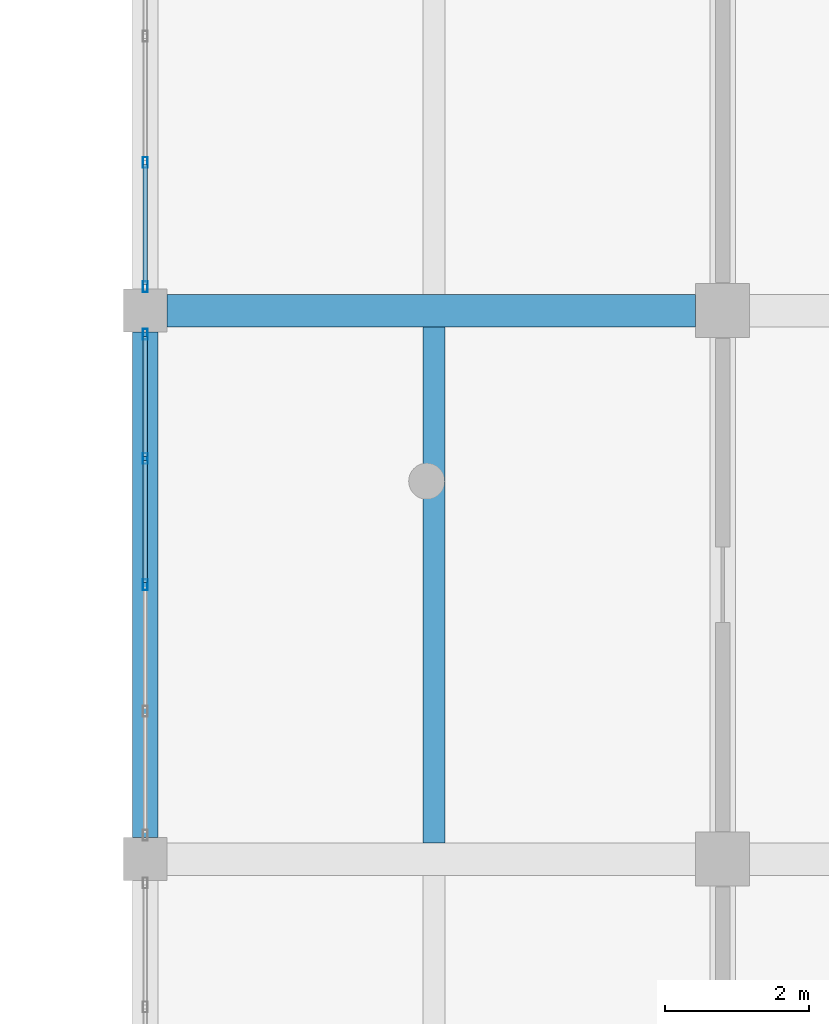
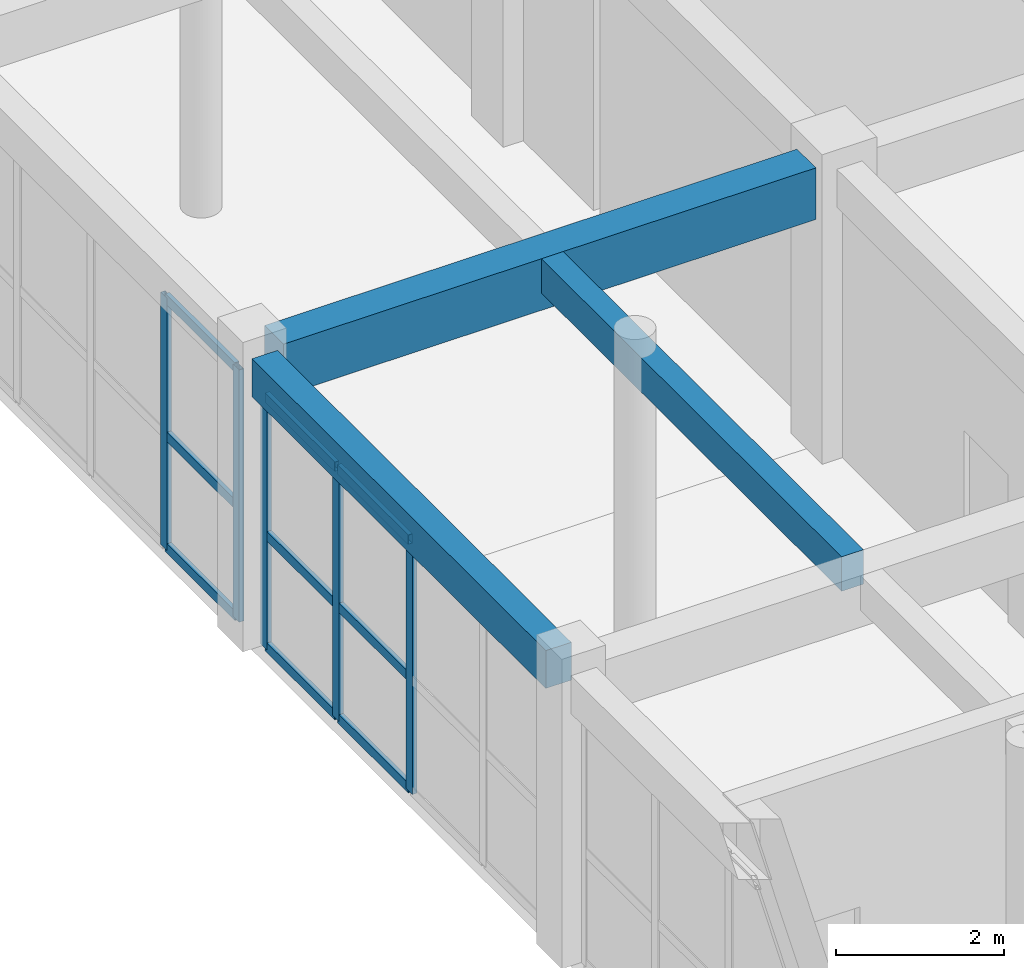
# One storey, part 15 of 79: 14 members, 3 beams, 2 elements without a shape of their own.
"""IFC4 building model written with IfcOpenShell, lengths in metres."""

import ifcopenshell
import ifcopenshell.guid

model = None  # the IFC model being written
_history = None  # IfcOwnerHistory: only IFC2X3 demands one
_inside = {}  # id of a spatial element -> (the spatial element, [elements in it])
_under = {}  # id of a project, library or spatial element -> (it, [spatial elements below it])
_declared = {}  # id of a project -> (the project, [libraries it declares])
_typed = {}  # id of a type object -> (the type object, [elements of that type])
_made_of = {}  # id of a material, layer set ... -> (it, [elements and type objects made of it])


def new_model(schema):
    """Start an empty IFC model of exactly this schema.

    Asked for "IFC4X3", IfcOpenShell would pick the latest addendum, in which some entities
    have other attributes; the version numbers below select the first issue.
    IFC2X3 requires an IfcOwnerHistory on every rooted entity: one is made here for all.
    """
    global model, _history
    if schema == "IFC4X3":
        model = ifcopenshell.file(schema_version=(4, 3, 0, 0))
    else:
        model = ifcopenshell.file(schema=schema)
    _inside.clear()
    _under.clear()
    _declared.clear()
    _typed.clear()
    _made_of.clear()
    _history = None
    if model.schema == "IFC2X3":
        org = make("IfcOrganization", Name="unknown")
        user = make(
            "IfcPersonAndOrganization",
            ThePerson=make("IfcPerson", FamilyName="unknown"),
            TheOrganization=org,
        )
        app = make(
            "IfcApplication",
            ApplicationDeveloper=org,
            Version="unknown",
            ApplicationFullName="unknown",
            ApplicationIdentifier="unknown",
        )
        _history = make(
            "IfcOwnerHistory",
            OwningUser=user,
            OwningApplication=app,
            ChangeAction="ADDED",
            CreationDate=0,
        )
    return model


def make(cls, **values):
    """One entity of the class cls with the attributes given. An attribute that is None is left unset."""
    return model.create_entity(
        cls, **{name: value for name, value in values.items() if value is not None}
    )


def rooted(cls, **values):
    """An entity with a GlobalId (a new one), such as an element, a storey or a relation."""
    return make(cls, GlobalId=ifcopenshell.guid.new(), OwnerHistory=_history, **values)


def si_unit(unit_type, name, prefix=None):
    """IfcSIUnit, for example si_unit("LENGTHUNIT", "METRE", prefix="MILLI")."""
    return make("IfcSIUnit", UnitType=unit_type, Prefix=prefix, Name=name)


def assignment(units):
    """IfcUnitAssignment: the units of a project."""
    return None if units is None else make("IfcUnitAssignment", Units=units)


def point(xyz):
    """IfcCartesianPoint."""
    return None if xyz is None else make("IfcCartesianPoint", Coordinates=xyz)


def direction(xyz):
    """IfcDirection."""
    return None if xyz is None else make("IfcDirection", DirectionRatios=xyz)


def frame(location, z_axis=None, x_axis=None):
    """IfcAxis2Placement3D, a coordinate frame: its origin and axes. An axis left out is left unset."""
    return make(
        "IfcAxis2Placement3D",
        Location=point(location),
        Axis=direction(z_axis),
        RefDirection=direction(x_axis),
    )


def frame_2d(location, x_axis=None):
    """IfcAxis2Placement2D, a coordinate frame in the plane: its origin and x axis."""
    return make(
        "IfcAxis2Placement2D", Location=point(location), RefDirection=direction(x_axis)
    )


def origin():
    """The frame at (0, 0, 0) with its axes left unset."""
    return frame((0.0, 0.0, 0.0))


def origin_2d():
    """The frame at (0, 0) in the plane with its x axis left unset."""
    return frame_2d((0.0, 0.0))


def place(relative_to, where):
    """IfcLocalPlacement: puts the frame where relative to a parent placement (None: the world)."""
    return make(
        "IfcLocalPlacement", PlacementRelTo=relative_to, RelativePlacement=where
    )


def context(
    kind, dimensions, precision=None, world=None, true_north=None, identifier=None
):
    """IfcGeometricRepresentationContext, for example the 3D "Model" context."""
    return make(
        "IfcGeometricRepresentationContext",
        ContextIdentifier=identifier,
        ContextType=kind,
        CoordinateSpaceDimension=dimensions,
        Precision=precision,
        WorldCoordinateSystem=world,
        TrueNorth=true_north,
    )


def subcontext(parent, identifier, kind, view, scale=None):
    """IfcGeometricRepresentationSubContext, for example "Body" below "Model"."""
    return make(
        "IfcGeometricRepresentationSubContext",
        ContextIdentifier=identifier,
        ContextType=kind,
        ParentContext=parent,
        TargetScale=scale,
        TargetView=view,
    )


def project(units=None, contexts=None):
    """IfcProject with its units and contexts."""
    return rooted(
        "IfcProject",
        Name="project",
        RepresentationContexts=contexts,
        UnitsInContext=assignment(units),
    )


def spatial(cls, under=None, at=None, **own):
    """A site, building, storey or space (cls), placed at a placement, below another one or the project."""
    s = rooted(cls, ObjectPlacement=at, **own)
    if under is not None:
        _under.setdefault(under.id(), (under, []))[1].append(s)
    return s


def profile(cls, at=None, kind="AREA", **sizes):
    """A parametric profile (cls). Its sizes go by their IFC names, for example OverallWidth=200.0."""
    return make(cls, ProfileType=kind, Position=at, **sizes)


def rectangle(**sizes):
    """IfcRectangleProfileDef."""
    return profile("IfcRectangleProfileDef", **sizes)


def hollow_rectangle(**sizes):
    """IfcRectangleHollowProfileDef."""
    return profile("IfcRectangleHollowProfileDef", **sizes)


def extrude(swept, where, along, depth):
    """IfcExtrudedAreaSolid: the profile swept, set in the frame where, extruded along a direction by depth."""
    return make(
        "IfcExtrudedAreaSolid",
        SweptArea=swept,
        Position=where,
        ExtrudedDirection=direction(along),
        Depth=depth,
    )


def shape(context_of_items, identifier, shape_type, items):
    """IfcShapeRepresentation: the items that make up one representation, for example the "Body"."""
    return make(
        "IfcShapeRepresentation",
        ContextOfItems=context_of_items,
        RepresentationIdentifier=identifier,
        RepresentationType=shape_type,
        Items=items,
    )


def material(Name=None, Category=None):
    """IfcMaterial."""
    return make("IfcMaterial", Name=Name, Category=Category)


def material_profile(
    of_material, cross_section, Name=None, Category=None, Priority=None
):
    """IfcMaterialProfile: a cross section and its material."""
    return make(
        "IfcMaterialProfile",
        Name=Name,
        Material=of_material,
        Profile=cross_section,
        Priority=Priority,
        Category=Category,
    )


def profile_set(profiles, Name=None, composite=None):
    """IfcMaterialProfileSet."""
    return make(
        "IfcMaterialProfileSet",
        Name=Name,
        MaterialProfiles=profiles,
        CompositeProfile=composite,
    )


def made_of(thing, what):
    """Note that an element or type object is made of a material, layer set ...; save() writes the relation."""
    if what is not None:
        _made_of.setdefault(what.id(), (what, []))[1].append(thing)
    return thing


def type_object(cls, material=None, **own):
    """A type object (cls), such as IfcWallType, which elements share."""
    return made_of(rooted(cls, **own), material)


def element(
    cls,
    number,
    at=None,
    inside=None,
    cuts=None,
    type_object=None,
    material=None,
    context=None,
    identifier="Body",
    shape_type=None,
    held_by="IfcProductDefinitionShape",
    body=None,
    shapes=None,
    **own,
):
    """One element of the class cls, such as IfcWall. Its Tag is "e" and its number.

    at: its placement. inside: the storey or other place that contains it. cuts: it is an
    opening in that element (IfcRelVoidsElement). A single representation is given by context,
    identifier, shape_type and body (its items); several are given by shapes. held_by: the class
    of the entity that holds the representations. save() writes the other relations.
    """
    e = rooted(cls, Tag="e%d" % number, ObjectPlacement=at, **own)
    if body is not None:
        shapes = [shape(context, identifier, shape_type, body)]
    if shapes is not None:
        e.Representation = make(held_by, Representations=shapes)
    if inside is not None:
        _inside.setdefault(inside.id(), (inside, []))[1].append(e)
    if cuts is not None:
        rooted(
            "IfcRelVoidsElement", RelatingBuildingElement=cuts, RelatedOpeningElement=e
        )
    if type_object is not None:
        _typed.setdefault(type_object.id(), (type_object, []))[1].append(e)
    return made_of(e, material)


def aggregate(whole, parts):
    """IfcRelAggregates: a whole, such as a stair, and the parts it consists of."""
    return rooted("IfcRelAggregates", RelatingObject=whole, RelatedObjects=parts)


def save(model, path):
    """Write the relations noted so far, then the file.

    IfcRelAggregates (storeys below a building ...), IfcRelContainedInSpatialStructure (elements
    in a storey), IfcRelDefinesByType, IfcRelAssociatesMaterial and IfcRelDeclares: one each for
    every whole, place, type object, material and project.
    """
    for whole, parts in _under.values():
        aggregate(whole, parts)
    for where, things in _inside.values():
        rooted(
            "IfcRelContainedInSpatialStructure",
            RelatedElements=things,
            RelatingStructure=where,
        )
    for kind, things in _typed.values():
        rooted("IfcRelDefinesByType", RelatedObjects=things, RelatingType=kind)
    for what, things in _made_of.values():
        rooted("IfcRelAssociatesMaterial", RelatedObjects=things, RelatingMaterial=what)
    for by, libraries in _declared.values():
        rooted("IfcRelDeclares", RelatingContext=by, RelatedDefinitions=libraries)
    model.write(path)


model = new_model("IFC4")

# Units and contexts
model_context = context("Model", 3, precision=1e-05, world=origin(), true_north=direction((0.0, 1.0)))
body_context = subcontext(model_context, "Body", "Model", "MODEL_VIEW")
ifc_project = project(units=[si_unit("LENGTHUNIT", "METRE"), si_unit("AREAUNIT", "SQUARE_METRE"), si_unit("VOLUMEUNIT", "CUBIC_METRE"), si_unit("PLANEANGLEUNIT", "RADIAN"), si_unit("MASSUNIT", "GRAM", prefix="KILO")], contexts=[model_context])

# Site, building, storey
site_placement = place(None, origin())
site = spatial("IfcSite", under=ifc_project, at=site_placement, CompositionType="ELEMENT")
building_placement = place(site_placement, origin())
building = spatial("IfcBuilding", under=site, at=building_placement, Name="Zantavel Square City Hall", CompositionType="ELEMENT")
storey_placement = place(building_placement, frame((0.0, 0.0, 10.199951171875)))
storey = spatial("IfcBuildingStorey", under=building, at=storey_placement, Name="L03", CompositionType="ELEMENT", Elevation=10.199951171875)

# Curtain wall, members
ifc_material_1 = material(Name="Anodised aluminium 6063-T6", Category="aluminium")
curtain_wall_type = type_object("IfcCurtainWallType", Name="Curtain Wall CRT 7000x3670", PredefinedType="USERDEFINED", material=ifc_material_1)
curtain_wall_1_placement = place(storey_placement, origin())
curtain_wall_1 = element("IfcCurtainWall", 1, at=curtain_wall_1_placement, inside=storey, type_object=curtain_wall_type, Name="L03 Glazed Curtain Wall CW-L03-102", ObjectType="GLAZED CURTAIN WALL", PredefinedType="USERDEFINED")
ifc_material_profile_1 = material_profile(ifc_material_1, hollow_rectangle(XDim=0.06494140625, YDim=0.14990234375, WallThickness=0.00390625, at=origin_2d()), Name="ALU 65x150x4")
ifc_profile_set_1 = profile_set([ifc_material_profile_1], Name="Anodised aluminium 6063-T6")
member_type_1 = type_object("IfcMemberType", Name="CW Mullion ALU 65x150x4", PredefinedType="MULLION", material=ifc_profile_set_1)
member_1_placement = place(storey_placement, frame((48.0, 49.39990234375, 0.0), z_axis=(0.0, 0.0, 1.0), x_axis=(-1.0, 0.0, 0.0)))
member_1 = element("IfcMember", 2, at=member_1_placement, type_object=member_type_1, Name="CW-102 mullion 3", PredefinedType="MULLION", context=body_context, shape_type="SweptSolid", body=[
    extrude(hollow_rectangle(XDim=0.06494140625, YDim=0.14990234375, WallThickness=0.00390625, at=origin_2d()), origin(), (0.0, 0.0, 1.0), 3.670166015625),
])
member_2_placement = place(storey_placement, frame((48.0, 51.14990234375, 0.0), z_axis=(0.0, 0.0, 1.0), x_axis=(-1.0, 0.0, 0.0)))
member_2 = element("IfcMember", 3, at=member_2_placement, type_object=member_type_1, Name="CW-102 mullion 4", PredefinedType="MULLION", context=body_context, shape_type="SweptSolid", body=[
    extrude(hollow_rectangle(XDim=0.06494140625, YDim=0.14990234375, WallThickness=0.00390625, at=origin_2d()), origin(), (0.0, 0.0, 1.0), 3.670166015625),
])
member_3_placement = place(storey_placement, frame((48.0, 52.8701171875, 0.0), z_axis=(0.0, 0.0, 1.0), x_axis=(-1.0, 0.0, 0.0)))
member_3 = element("IfcMember", 4, at=member_3_placement, type_object=member_type_1, Name="CW-102 mullion 5", PredefinedType="MULLION", context=body_context, shape_type="SweptSolid", body=[
    extrude(hollow_rectangle(XDim=0.06494140625, YDim=0.14990234375, WallThickness=0.00390625, at=origin_2d()), origin(), (0.0, 0.0, 1.0), 3.670166015625),
])

curtain_wall_2_placement = place(storey_placement, origin())
curtain_wall_2 = element("IfcCurtainWall", 5, at=curtain_wall_2_placement, inside=storey, type_object=curtain_wall_type, Name="L03 Glazed Curtain Wall CW-L03-103", ObjectType="GLAZED CURTAIN WALL", PredefinedType="USERDEFINED")
member_4_placement = place(storey_placement, frame((48.0, 53.530029296875, 0.0), z_axis=(0.0, 0.0, 1.0), x_axis=(-1.0, 0.0, 0.0)))
member_4 = element("IfcMember", 6, at=member_4_placement, type_object=member_type_1, Name="CW-103 mullion 1", PredefinedType="MULLION", context=body_context, shape_type="SweptSolid", body=[
    extrude(hollow_rectangle(XDim=0.06494140625, YDim=0.14990234375, WallThickness=0.00390625, at=origin_2d()), origin(), (0.0, 0.0, 1.0), 3.670166015625),
])
member_5_placement = place(storey_placement, frame((48.0, 55.25, 0.0), z_axis=(0.0, 0.0, 1.0), x_axis=(-1.0, 0.0, 0.0)))
member_5 = element("IfcMember", 7, at=member_5_placement, type_object=member_type_1, Name="CW-103 mullion 2", PredefinedType="MULLION", context=body_context, shape_type="SweptSolid", body=[
    extrude(hollow_rectangle(XDim=0.06494140625, YDim=0.14990234375, WallThickness=0.00390625, at=origin_2d()), origin(), (0.0, 0.0, 1.0), 3.670166015625),
])

# Member
ifc_material_profile_2 = material_profile(ifc_material_1, hollow_rectangle(XDim=0.06005859375, YDim=0.139892578125, WallThickness=0.00390625, at=origin_2d()), Name="ALU 60x140x4")
ifc_profile_set_2 = profile_set([ifc_material_profile_2], Name="Anodised aluminium 6063-T6")
member_type_2 = type_object("IfcMemberType", Name="CW Transom ALU 60x140x4", PredefinedType="USERDEFINED", material=ifc_profile_set_2)
member_6_placement = place(storey_placement, frame((48.0, 49.429931640625, 0.030029296875), z_axis=(0.0, 1.0, 0.0), x_axis=(-1.0, 0.0, 0.0)))
member_6 = element("IfcMember", 8, at=member_6_placement, type_object=member_type_2, Name="CW-102 transom 3.1", ObjectType="TRANSOM", PredefinedType="USERDEFINED", context=body_context, shape_type="SweptSolid", body=[
    extrude(hollow_rectangle(XDim=0.06005859375, YDim=0.139892578125, WallThickness=0.00390625, at=origin_2d()), origin(), (0.0, 0.0, 1.0), 1.690185546875),
])

member_7_placement = place(storey_placement, frame((48.0, 49.429931640625, 1.651123046875), z_axis=(0.0, 1.0, 0.0), x_axis=(-1.0, 0.0, 0.0)))
member_7 = element("IfcMember", 9, at=member_7_placement, type_object=member_type_2, Name="CW-102 transom 3.2", ObjectType="TRANSOM", PredefinedType="USERDEFINED", context=body_context, shape_type="SweptSolid", body=[
    extrude(hollow_rectangle(XDim=0.06005859375, YDim=0.139892578125, WallThickness=0.00390625, at=origin_2d()), origin(), (0.0, 0.0, 1.0), 1.690185546875),
])

member_8_placement = place(storey_placement, frame((48.0, 49.429931640625, 3.64013671875), z_axis=(0.0, 1.0, 0.0), x_axis=(-1.0, 0.0, 0.0)))
member_8 = element("IfcMember", 10, at=member_8_placement, type_object=member_type_2, Name="CW-102 transom 3.3", ObjectType="TRANSOM", PredefinedType="USERDEFINED", context=body_context, shape_type="SweptSolid", body=[
    extrude(hollow_rectangle(XDim=0.06005859375, YDim=0.139892578125, WallThickness=0.00390625, at=origin_2d()), origin(), (0.0, 0.0, 1.0), 1.690185546875),
])

member_9_placement = place(storey_placement, frame((48.0, 51.179931640625, 0.030029296875), z_axis=(0.0, 1.0, 0.0), x_axis=(-1.0, 0.0, 0.0)))
member_9 = element("IfcMember", 11, at=member_9_placement, type_object=member_type_2, Name="CW-102 transom 4.1", ObjectType="TRANSOM", PredefinedType="USERDEFINED", context=body_context, shape_type="SweptSolid", body=[
    extrude(hollow_rectangle(XDim=0.06005859375, YDim=0.139892578125, WallThickness=0.00390625, at=origin_2d()), origin(), (0.0, 0.0, 1.0), 1.66015625),
])

member_10_placement = place(storey_placement, frame((48.0, 51.179931640625, 1.651123046875), z_axis=(0.0, 1.0, 0.0), x_axis=(-1.0, 0.0, 0.0)))
member_10 = element("IfcMember", 12, at=member_10_placement, type_object=member_type_2, Name="CW-102 transom 4.2", ObjectType="TRANSOM", PredefinedType="USERDEFINED", context=body_context, shape_type="SweptSolid", body=[
    extrude(hollow_rectangle(XDim=0.06005859375, YDim=0.139892578125, WallThickness=0.00390625, at=origin_2d()), origin(), (0.0, 0.0, 1.0), 1.66015625),
])

member_11_placement = place(storey_placement, frame((48.0, 51.179931640625, 3.64013671875), z_axis=(0.0, 1.0, 0.0), x_axis=(-1.0, 0.0, 0.0)))
member_11 = element("IfcMember", 13, at=member_11_placement, type_object=member_type_2, Name="CW-102 transom 4.3", ObjectType="TRANSOM", PredefinedType="USERDEFINED", context=body_context, shape_type="SweptSolid", body=[
    extrude(hollow_rectangle(XDim=0.06005859375, YDim=0.139892578125, WallThickness=0.00390625, at=origin_2d()), origin(), (0.0, 0.0, 1.0), 1.66015625),
])

aggregate(curtain_wall_1, [member_1, member_2, member_3, member_6, member_7, member_8, member_9, member_10, member_11])

member_12_placement = place(storey_placement, frame((48.0, 53.56005859375, 0.030029296875), z_axis=(0.0, 1.0, 0.0), x_axis=(-1.0, 0.0, 0.0)))
member_12 = element("IfcMember", 14, at=member_12_placement, type_object=member_type_2, Name="CW-103 transom 1.1", ObjectType="TRANSOM", PredefinedType="USERDEFINED", context=body_context, shape_type="SweptSolid", body=[
    extrude(hollow_rectangle(XDim=0.06005859375, YDim=0.139892578125, WallThickness=0.00390625, at=origin_2d()), origin(), (0.0, 0.0, 1.0), 1.659912109375),
])

member_13_placement = place(storey_placement, frame((48.0, 53.56005859375, 1.651123046875), z_axis=(0.0, 1.0, 0.0), x_axis=(-1.0, 0.0, 0.0)))
member_13 = element("IfcMember", 15, at=member_13_placement, type_object=member_type_2, Name="CW-103 transom 1.2", ObjectType="TRANSOM", PredefinedType="USERDEFINED", context=body_context, shape_type="SweptSolid", body=[
    extrude(hollow_rectangle(XDim=0.06005859375, YDim=0.139892578125, WallThickness=0.00390625, at=origin_2d()), origin(), (0.0, 0.0, 1.0), 1.659912109375),
])

member_14_placement = place(storey_placement, frame((48.0, 53.56005859375, 3.64013671875), z_axis=(0.0, 1.0, 0.0), x_axis=(-1.0, 0.0, 0.0)))
member_14 = element("IfcMember", 16, at=member_14_placement, type_object=member_type_2, Name="CW-103 transom 1.3", ObjectType="TRANSOM", PredefinedType="USERDEFINED", context=body_context, shape_type="SweptSolid", body=[
    extrude(hollow_rectangle(XDim=0.06005859375, YDim=0.139892578125, WallThickness=0.00390625, at=origin_2d()), origin(), (0.0, 0.0, 1.0), 1.659912109375),
])

aggregate(curtain_wall_2, [member_4, member_5, member_12, member_13, member_14])

# Beams
ifc_material_2 = material(Name="Concrete C35/45", Category="concrete")
ifc_material_profile_3 = material_profile(ifc_material_2, rectangle(XDim=0.300048828125, YDim=0.5, at=origin_2d()), Name="RC 300x500")
ifc_profile_set_3 = profile_set([ifc_material_profile_3], Name="Concrete C35/45")
beam_type_1 = type_object("IfcBeamType", Name="Floor Joist RC 300x500 C35/45", PredefinedType="JOIST", material=ifc_profile_set_3)
beam_1_placement = place(storey_placement, frame((52.0, 45.824951171875, 3.969970703125), z_axis=(0.0, 1.0, 0.0), x_axis=(-1.0, 0.0, 0.0)))
element("IfcBeam", 17, at=beam_1_placement, inside=storey, type_object=beam_type_1, Name="L03 Floor Joist JST-L03-0520-0456", PredefinedType="JOIST", context=body_context, shape_type="SweptSolid", body=[
    extrude(rectangle(XDim=0.300048828125, YDim=0.5, at=origin_2d()), origin(), (0.0, 0.0, 1.0), 7.150146484375),
])
ifc_material_profile_4 = material_profile(ifc_material_2, rectangle(XDim=0.449951171875, YDim=0.75, at=origin_2d()), Name="RC 450x750")
ifc_profile_set_4 = profile_set([ifc_material_profile_4], Name="Concrete C35/45")
beam_type_2 = type_object("IfcBeamType", Name="Primary Girder RC 450x750 C35/45", PredefinedType="BEAM", material=ifc_profile_set_4)
beam_2_placement = place(storey_placement, frame((48.300048828125, 53.199951171875, 3.844970703125), z_axis=(1.0, 0.0, 0.0), x_axis=(0.0, 1.0, 0.0)))
element("IfcBeam", 18, at=beam_2_placement, inside=storey, type_object=beam_type_2, Name="L03 Girder BMX-L03-0480-0532", PredefinedType="BEAM", context=body_context, shape_type="SweptSolid", body=[
    extrude(rectangle(XDim=0.449951171875, YDim=0.75, at=origin_2d()), origin(), (0.0, 0.0, 1.0), 7.324951171875),
])
ifc_material_profile_5 = material_profile(ifc_material_2, rectangle(XDim=0.35009765625, YDim=0.550048828125, at=origin_2d()), Name="RC 350x550")
ifc_profile_set_5 = profile_set([ifc_material_profile_5], Name="Concrete C35/45")
beam_type_3 = type_object("IfcBeamType", Name="Secondary Beam RC 350x550 C35/45", PredefinedType="BEAM", material=ifc_profile_set_5)
beam_3_placement = place(storey_placement, frame((48.0, 45.89990234375, 3.945068359375), z_axis=(0.0, 1.0, 0.0), x_axis=(-1.0, 0.0, 0.0)))
element("IfcBeam", 19, at=beam_3_placement, inside=storey, type_object=beam_type_3, Name="L03 Beam BMY-L03-0480-0456", PredefinedType="BEAM", context=body_context, shape_type="SweptSolid", body=[
    extrude(rectangle(XDim=0.35009765625, YDim=0.550048828125, at=origin_2d()), origin(), (0.0, 0.0, 1.0), 7.0),
])

save(model, "model.ifc")
